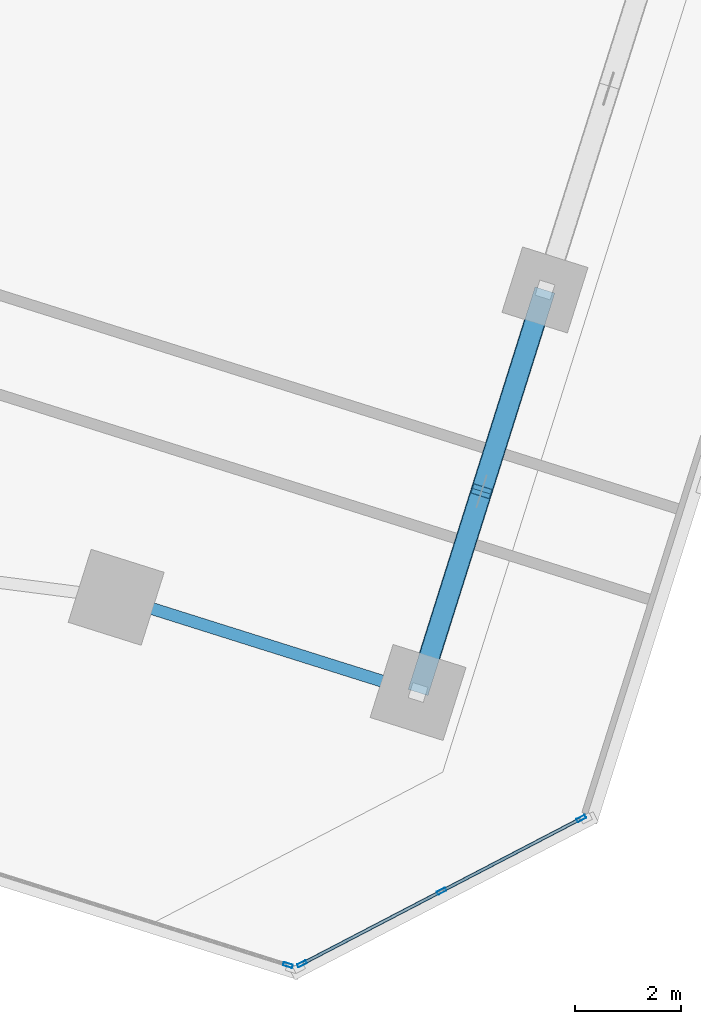
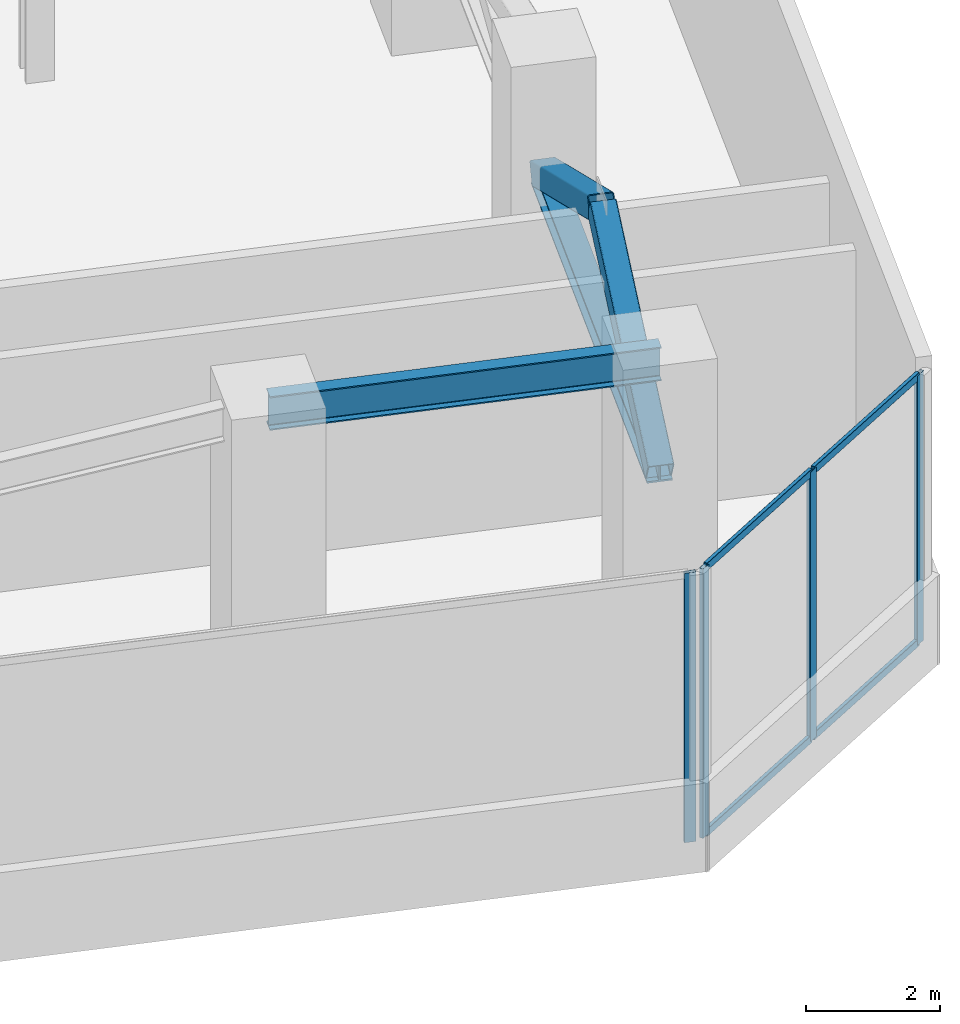
# One storey, part 10 of 29: 11 members, 1 beam, 2 elements without a shape of their own.
"""IFC4 building model written with IfcOpenShell, lengths in metres."""

from ifc_helpers import new_model, si_unit, direction, frame, origin, origin_2d, place, context, subcontext, project, spatial, hollow_rectangle, i_section, extrude, source, transform, mapped, material, material_profile, profile_set, type_object, element, aggregate, save


model = new_model("IFC4")

# Units and contexts
model_context = context("Model", 3, precision=1e-05, world=origin(), true_north=direction((0.0, 1.0)))
body_context = subcontext(model_context, "Body", "Model", "MODEL_VIEW")
ifc_project = project(units=[si_unit("LENGTHUNIT", "METRE"), si_unit("AREAUNIT", "SQUARE_METRE"), si_unit("VOLUMEUNIT", "CUBIC_METRE"), si_unit("PLANEANGLEUNIT", "RADIAN"), si_unit("MASSUNIT", "GRAM", prefix="KILO")], contexts=[model_context])

# Site, building, storey
site_placement = place(None, origin())
site = spatial("IfcSite", under=ifc_project, at=site_placement, CompositionType="ELEMENT")
building_placement = place(site_placement, origin())
building = spatial("IfcBuilding", under=site, at=building_placement, Name="Torre Montelarca", CompositionType="ELEMENT")
storey_placement = place(building_placement, frame((0.0, 0.0, 122.199951171875)))
storey = spatial("IfcBuildingStorey", under=building, at=storey_placement, Name="L27", CompositionType="ELEMENT", Elevation=122.199951171875)

# Beam
ifc_material_1 = material(Name="Steel ASTM A992 Grade 50", Category="steel")
ifc_material_profile_1 = material_profile(ifc_material_1, i_section(OverallWidth=0.22998046875, OverallDepth=0.616943359375, WebThickness=0.01318359375, FlangeThickness=0.022216796875, FilletRadius=0.014892578125, at=origin_2d()), Name="W610X140", Category="steel")
ifc_profile_set_1 = profile_set([ifc_material_profile_1], Name="Steel ASTM A992 Grade 50")
beam_type = type_object("IfcBeamType", Name="BM-G-W610-EXT", PredefinedType="BEAM", material=ifc_profile_set_1)
shared_shape_1 = source(origin(), body_context, "Body", "SweptSolid", [
    extrude(i_section(OverallWidth=0.22998046875, OverallDepth=0.616943359375, WebThickness=0.01318359375, FlangeThickness=0.022216796875, FilletRadius=0.014892578125, at=origin_2d()), origin(), (0.0, 0.0, 1.0), 6.0),
])
beam_placement = place(storey_placement, frame((50.090087890625, 14.597412109375, 4.7919921875), z_axis=(0.953720315082, -0.300695128993, 0.0), x_axis=(0.300695128993, 0.953720315082, 0.0)))
element("IfcBeam", 1, at=beam_placement, inside=storey, type_object=beam_type, Name="L27 Setback Terrace Girder 54-60 Y=24m", PredefinedType="BEAM", context=body_context, shape_type="MappedRepresentation", body=[
    mapped(shared_shape_1, transform((0.0, 0.0, 0.0), scale=1.0)),
])

# Members
ifc_material_profile_2 = material_profile(ifc_material_1, i_section(OverallWidth=0.39501953125, OverallDepth=0.3798828125, WebThickness=0.018798828125, FlangeThickness=0.0302734375, FilletRadius=0.014892578125, at=origin_2d()), Name="W360X237", Category="steel")
ifc_profile_set_2 = profile_set([ifc_material_profile_2], Name="Steel ASTM A992 Grade 50")
member_type_1 = type_object("IfcMemberType", Name="MB-CH-W360X237", PredefinedType="CHORD", material=ifc_profile_set_2)
shared_shape_2 = source(origin(), body_context, "Body", "SweptSolid", [
    extrude(i_section(OverallWidth=0.39501953125, OverallDepth=0.3798828125, WebThickness=0.018798828125, FlangeThickness=0.0302734375, FilletRadius=0.014892578125, at=origin_2d()), origin(), (0.0, 0.0, 1.0), 7.999755859375),
])
member_1_placement = place(storey_placement, frame((55.8125, 12.793212890625, 2.75), z_axis=(0.300694628035, 0.953720473027, 0.0), x_axis=(-0.953720473027, 0.300694628035, 0.0)))
element("IfcMember", 2, at=member_1_placement, inside=storey, type_object=member_type_1, Name="L27 Perimeter Belt-Truss Bottom Chord 2", PredefinedType="CHORD", context=body_context, shape_type="MappedRepresentation", body=[
    mapped(shared_shape_2, transform((0.0, 0.0, 0.0), scale=1.0)),
])
ifc_material_2 = material(Name="Steel ASTM A500 Grade C", Category="steel")
ifc_material_profile_3 = material_profile(ifc_material_2, hollow_rectangle(XDim=0.406494140625, YDim=0.406494140625, WallThickness=0.015869140625, InnerFilletRadius=0.015869140625, OuterFilletRadius=0.03173828125, at=origin_2d()), Name="HSS406X406X15.9", Category="steel")
ifc_profile_set_3 = profile_set([ifc_material_profile_3], Name="Steel ASTM A500 Grade C")
member_type_2 = type_object("IfcMemberType", Name="MB-BR-HSS406-EXT", PredefinedType="BRACE", material=ifc_profile_set_3)
shared_shape_3 = source(origin(), body_context, "Body", "SweptSolid", [
    extrude(hollow_rectangle(XDim=0.406494140625, YDim=0.406494140625, WallThickness=0.015869140625, InnerFilletRadius=0.015869140625, OuterFilletRadius=0.03173828125, at=origin_2d()), origin(), (0.0, 0.0, 1.0), 4.517578125),
])
member_2_placement = place(storey_placement, frame((55.8125, 12.793212890625, 2.75), z_axis=(0.266261954369, 0.844396800694, 0.464864081892), x_axis=(-0.953708960805, 0.300731139193, 0.0)))
element("IfcMember", 3, at=member_2_placement, inside=storey, type_object=member_type_2, Name="L27 Perimeter Belt-Truss Diagonal 2A", PredefinedType="BRACE", context=body_context, shape_type="MappedRepresentation", body=[
    mapped(shared_shape_3, transform((0.0, 0.0, 0.0), scale=1.0)),
])
shared_shape_4 = source(origin(), body_context, "Body", "SweptSolid", [
    extrude(hollow_rectangle(XDim=0.406494140625, YDim=0.406494140625, WallThickness=0.015869140625, InnerFilletRadius=0.015869140625, OuterFilletRadius=0.03173828125, at=origin_2d()), origin(), (0.0, 0.0, 1.0), 4.517822265625),
])
member_3_placement = place(storey_placement, frame((58.218017578125, 20.4228515625, 2.75), z_axis=(-0.266199595396, -0.844424457501, 0.464849557368), x_axis=(0.953731983392, -0.300658117893, 0.0)))
element("IfcMember", 4, at=member_3_placement, inside=storey, type_object=member_type_2, Name="L27 Perimeter Belt-Truss Diagonal 2B", PredefinedType="BRACE", context=body_context, shape_type="MappedRepresentation", body=[
    mapped(shared_shape_4, transform((0.0, 0.0, 0.0), scale=1.0)),
])

# Curtain wall, members
ifc_material_3 = material(Name="Insulated low-E laminated glass", Category="glass")
curtain_wall_type = type_object("IfcCurtainWallType", Name="CW-SYS-Z1", PredefinedType="USERDEFINED", material=ifc_material_3)
curtain_wall_1_placement = place(storey_placement, origin())
curtain_wall_1 = element("IfcCurtainWall", 5, at=curtain_wall_1_placement, inside=storey, type_object=curtain_wall_type, Name="L27 Curtain Wall Run CW-T3-L27-E05-B1", ObjectType="UNITISED GLAZING", PredefinedType="USERDEFINED")
ifc_material_4 = material(Name="Anodised aluminium AA 6063-T6", Category="aluminium")
ifc_material_profile_4 = material_profile(ifc_material_4, hollow_rectangle(XDim=0.06494140625, YDim=0.139892578125, WallThickness=0.00390625, InnerFilletRadius=0.00390625, OuterFilletRadius=0.008056640625, at=origin_2d()), Name="ALU65X140X4", Category="aluminium")
ifc_profile_set_4 = profile_set([ifc_material_profile_4], Name="Anodised aluminium AA 6063-T6")
member_type_3 = type_object("IfcMemberType", Name="CWT-ALU140", PredefinedType="USERDEFINED", material=ifc_profile_set_4)
shared_shape_5 = source(origin(), body_context, "Body", "SweptSolid", [
    extrude(hollow_rectangle(XDim=0.06494140625, YDim=0.139892578125, WallThickness=0.00390625, InnerFilletRadius=0.00390625, OuterFilletRadius=0.008056640625, at=origin_2d()), origin(), (0.0, 0.0, 1.0), 2.918701171875),
])
member_4_placement = place(storey_placement, frame((53.640869140625, 7.663818359375, 0.032470703125), z_axis=(0.887014019534, 0.461742492251, 0.0), x_axis=(-0.461742492251, 0.887014019534, 0.0)))
member_4 = element("IfcMember", 6, at=member_4_placement, type_object=member_type_3, Name="CW transom 1.1", ObjectType="TRANSOM", PredefinedType="USERDEFINED", context=body_context, shape_type="MappedRepresentation", body=[
    mapped(shared_shape_5, transform((0.0, 0.0, 0.0), scale=1.0)),
])
member_5_placement = place(storey_placement, frame((53.640869140625, 7.663818359375, 4.887451171875), z_axis=(0.887014019534, 0.461742492251, 0.0), x_axis=(-0.461742492251, 0.887014019534, 0.0)))
member_5 = element("IfcMember", 7, at=member_5_placement, type_object=member_type_3, Name="CW transom 1.2", ObjectType="TRANSOM", PredefinedType="USERDEFINED", context=body_context, shape_type="MappedRepresentation", body=[
    mapped(shared_shape_5, transform((0.0, 0.0, 0.0), scale=1.0)),
])
member_6_placement = place(storey_placement, frame((56.287353515625, 9.04150390625, 0.032470703125), z_axis=(0.887014019534, 0.461742492251, 0.0), x_axis=(-0.461742492251, 0.887014019534, 0.0)))
member_6 = element("IfcMember", 8, at=member_6_placement, type_object=member_type_3, Name="CW transom 2.1", ObjectType="TRANSOM", PredefinedType="USERDEFINED", context=body_context, shape_type="MappedRepresentation", body=[
    mapped(shared_shape_5, transform((0.0, 0.0, 0.0), scale=1.0)),
])
member_7_placement = place(storey_placement, frame((56.287353515625, 9.04150390625, 4.887451171875), z_axis=(0.887014019534, 0.461742492251, 0.0), x_axis=(-0.461742492251, 0.887014019534, 0.0)))
member_7 = element("IfcMember", 9, at=member_7_placement, type_object=member_type_3, Name="CW transom 2.2", ObjectType="TRANSOM", PredefinedType="USERDEFINED", context=body_context, shape_type="MappedRepresentation", body=[
    mapped(shared_shape_5, transform((0.0, 0.0, 0.0), scale=1.0)),
])

# Curtain wall, member
curtain_wall_2_placement = place(storey_placement, origin())
curtain_wall_2 = element("IfcCurtainWall", 10, at=curtain_wall_2_placement, inside=storey, type_object=curtain_wall_type, Name="L27 Curtain Wall Run CW-T3-L27-E04-B1", ObjectType="UNITISED GLAZING", PredefinedType="USERDEFINED")
ifc_material_profile_5 = material_profile(ifc_material_4, hollow_rectangle(XDim=0.06494140625, YDim=0.179931640625, WallThickness=0.00390625, InnerFilletRadius=0.00390625, OuterFilletRadius=0.008056640625, at=origin_2d()), Name="ALU65X180X4", Category="aluminium")
ifc_profile_set_5 = profile_set([ifc_material_profile_5], Name="Anodised aluminium AA 6063-T6")
member_type_4 = type_object("IfcMemberType", Name="CWM-ALU180", PredefinedType="MULLION", material=ifc_profile_set_5)
shared_shape_6 = source(origin(), body_context, "Body", "SweptSolid", [
    extrude(hollow_rectangle(XDim=0.06494140625, YDim=0.179931640625, WallThickness=0.00390625, InnerFilletRadius=0.00390625, OuterFilletRadius=0.008056640625, at=origin_2d()), origin(), (0.0, 0.0, 1.0), 4.920166015625),
])
member_8_placement = place(storey_placement, frame((53.345947265625, 7.625732421875, 0.0), z_axis=(0.0, 0.0, 1.0), x_axis=(0.300700885116, 0.953718500235, 0.0)))
member_8 = element("IfcMember", 11, at=member_8_placement, type_object=member_type_4, Name="CW mullion 3", PredefinedType="MULLION", context=body_context, shape_type="MappedRepresentation", body=[
    mapped(shared_shape_6, transform((0.0, 0.0, 0.0), scale=1.0)),
])
aggregate(curtain_wall_2, [member_8])

# Member
member_9_placement = place(storey_placement, frame((53.61181640625, 7.64892578125, 0.0), z_axis=(0.0, 0.0, 1.0), x_axis=(-0.461729026109, 0.887021029316, 0.0)))
member_9 = element("IfcMember", 12, at=member_9_placement, type_object=member_type_4, Name="CW mullion 1", PredefinedType="MULLION", context=body_context, shape_type="MappedRepresentation", body=[
    mapped(shared_shape_6, transform((0.0, 0.0, 0.0), scale=1.0)),
])

member_10_placement = place(storey_placement, frame((56.258544921875, 9.026611328125, 0.0), z_axis=(0.0, 0.0, 1.0), x_axis=(-0.461729026109, 0.887021029316, 0.0)))
member_10 = element("IfcMember", 13, at=member_10_placement, type_object=member_type_4, Name="CW mullion 2", PredefinedType="MULLION", context=body_context, shape_type="MappedRepresentation", body=[
    mapped(shared_shape_6, transform((0.0, 0.0, 0.0), scale=1.0)),
])

member_11_placement = place(storey_placement, frame((58.905029296875, 10.404296875, 0.0), z_axis=(0.0, 0.0, 1.0), x_axis=(-0.461729026109, 0.887021029316, 0.0)))
member_11 = element("IfcMember", 14, at=member_11_placement, type_object=member_type_4, Name="CW mullion 3", PredefinedType="MULLION", context=body_context, shape_type="MappedRepresentation", body=[
    mapped(shared_shape_6, transform((0.0, 0.0, 0.0), scale=1.0)),
])

aggregate(curtain_wall_1, [member_9, member_10, member_11, member_4, member_5, member_6, member_7])

save(model, "model.ifc")
